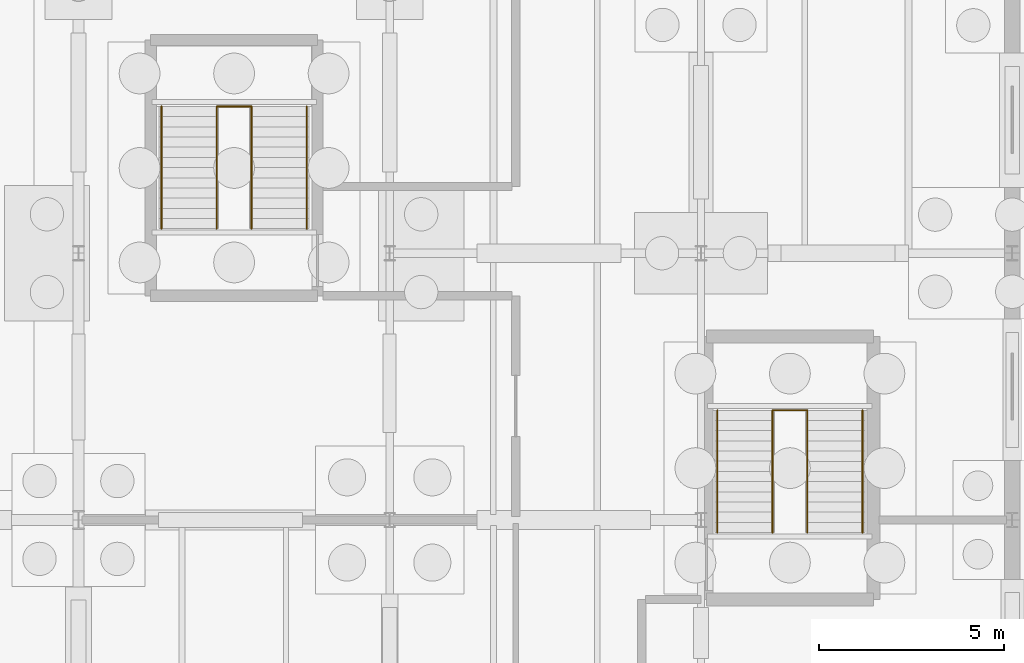
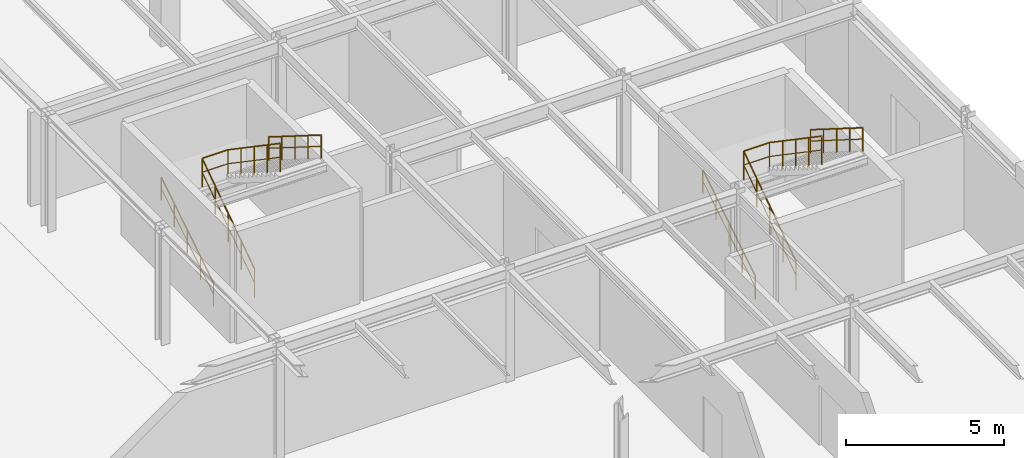
# One storey, part 92 of 93: 10 railings.
"""IFC4 building model written with IfcOpenShell, lengths in metres."""

from ifc_helpers import new_model, si_unit, derived_unit, direction, frame, origin, origin_2d, place, context, subcontext, project, spatial, circle, extrude, material, type_object, element, save


model = new_model("IFC4")

# Units and contexts
model_context = context("Model", 3, precision=1e-05, world=origin(), true_north=direction((0.0, 1.0)))
body_context = subcontext(model_context, "Body", "Model", "MODEL_VIEW")
ifc_project = project(units=[si_unit("LENGTHUNIT", "METRE"), si_unit("AREAUNIT", "SQUARE_METRE"), si_unit("VOLUMEUNIT", "CUBIC_METRE"), si_unit("PLANEANGLEUNIT", "RADIAN"), si_unit("MASSUNIT", "GRAM", prefix="KILO"), derived_unit("THERMALTRANSMITTANCEUNIT", [(si_unit("MASSUNIT", "GRAM", prefix="KILO"), 1), (si_unit("TIMEUNIT", "SECOND"), -3), (si_unit("THERMODYNAMICTEMPERATUREUNIT", "KELVIN"), -1)])], contexts=[model_context])

# Site, building, storey
site_placement = place(None, origin())
site = spatial("IfcSite", under=ifc_project, at=site_placement, CompositionType="ELEMENT")
building_placement = place(site_placement, origin())
building = spatial("IfcBuilding", under=site, at=building_placement, Name="Kharveza Railside Sports Centre", CompositionType="ELEMENT")
storey_placement = place(building_placement, origin())
storey = spatial("IfcBuildingStorey", under=building, at=storey_placement, Name="L00", CompositionType="ELEMENT", Elevation=0.0)

# Railings
ifc_material = material(Name="Steel S275JR", Category="steel")
railing_type_1 = type_object("IfcRailingType", Name="RL-GD110", PredefinedType="GUARDRAIL", material=ifc_material)
railing_1_placement = place(storey_placement, frame((161.530029296875, 78.860107421875, 0.0)))
element("IfcRailing", 1, at=railing_1_placement, inside=storey, type_object=railing_type_1, Name="STR-ST4-L00-GD1", PredefinedType="GUARDRAIL", context=body_context, shape_type="SweptSolid", body=[
    extrude(circle(Radius=0.02392578125, at=origin_2d()), frame((0.0, 0.0, 1.09619140625), z_axis=(0.0, 0.826211823288, 0.56335958593), x_axis=(-1.0, 0.0, 0.0)), (0.0, 0.0, 1.0), 3.993896484375),
    extrude(circle(Radius=0.01611328125, at=origin_2d()), frame((0.0, 0.0, 0.56005859375), z_axis=(0.0, 0.826211823288, 0.56335958593), x_axis=(-1.0, 0.0, 0.0)), (0.0, 0.0, 1.0), 3.993896484375),
    extrude(circle(Radius=0.02099609375, at=origin_2d()), origin(), (0.0, 0.0, 1.0), 1.072021484375),
    extrude(circle(Radius=0.02099609375, at=origin_2d()), frame((0.0, 0.824951171875, 0.5625)), (0.0, 0.0, 1.0), 1.072021484375),
    extrude(circle(Radius=0.02099609375, at=origin_2d()), frame((0.0, 1.64990234375, 1.125)), (0.0, 0.0, 1.0), 1.072021484375),
    extrude(circle(Radius=0.02099609375, at=origin_2d()), frame((0.0, 2.474853515625, 1.6875)), (0.0, 0.0, 1.0), 1.072021484375),
    extrude(circle(Radius=0.02099609375, at=origin_2d()), frame((0.0, 3.2998046875, 2.25)), (0.0, 0.0, 1.0), 1.072021484375),
])
railing_2_placement = place(storey_placement, frame((162.469970703125, 82.159912109375, 2.25)))
element("IfcRailing", 2, at=railing_2_placement, inside=storey, type_object=railing_type_1, Name="STR-ST4-L00-GD2", PredefinedType="GUARDRAIL", context=body_context, shape_type="SweptSolid", body=[
    extrude(circle(Radius=0.02392578125, at=origin_2d()), frame((0.0, 0.0, 1.09619140625), z_axis=(0.0, -0.826211823288, 0.56335958593), x_axis=(1.0, 0.0, 0.0)), (0.0, 0.0, 1.0), 3.993896484375),
    extrude(circle(Radius=0.01611328125, at=origin_2d()), frame((0.0, 0.0, 0.56005859375), z_axis=(0.0, -0.826211823288, 0.56335958593), x_axis=(1.0, 0.0, 0.0)), (0.0, 0.0, 1.0), 3.993896484375),
    extrude(circle(Radius=0.02099609375, at=origin_2d()), origin(), (0.0, 0.0, 1.0), 1.072021484375),
    extrude(circle(Radius=0.02099609375, at=origin_2d()), frame((0.0, -0.824951171875, 0.5625)), (0.0, 0.0, 1.0), 1.072021484375),
    extrude(circle(Radius=0.02099609375, at=origin_2d()), frame((0.0, -1.64990234375, 1.125)), (0.0, 0.0, 1.0), 1.072021484375),
    extrude(circle(Radius=0.02099609375, at=origin_2d()), frame((0.0, -2.474853515625, 1.6875)), (0.0, 0.0, 1.0), 1.072021484375),
    extrude(circle(Radius=0.02099609375, at=origin_2d()), frame((0.0, -3.2998046875, 2.25)), (0.0, 0.0, 1.0), 1.072021484375),
])
railing_3_placement = place(storey_placement, frame((161.530029296875, 82.159912109375, 2.25)))
element("IfcRailing", 3, at=railing_3_placement, inside=storey, type_object=railing_type_1, Name="STR-ST4-L00-GDH", PredefinedType="GUARDRAIL", context=body_context, shape_type="SweptSolid", body=[
    extrude(circle(Radius=0.02392578125, at=origin_2d()), frame((0.0, 0.0, 1.09619140625), z_axis=(1.0, 0.0, 0.0), x_axis=(0.0, 1.0, 0.0)), (0.0, 0.0, 1.0), 0.93994140625),
    extrude(circle(Radius=0.01611328125, at=origin_2d()), frame((0.0, 0.0, 0.56005859375), z_axis=(1.0, 0.0, 0.0), x_axis=(0.0, 1.0, 0.0)), (0.0, 0.0, 1.0), 0.93994140625),
    extrude(circle(Radius=0.02099609375, at=origin_2d()), origin(), (0.0, 0.0, 1.0), 1.072021484375),
    extrude(circle(Radius=0.02099609375, at=origin_2d()), frame((0.93994140625, 0.0, 0.0)), (0.0, 0.0, 1.0), 1.072021484375),
])
railing_4_placement = place(storey_placement, frame((146.530029296875, 87.06005859375, 0.0)))
element("IfcRailing", 4, at=railing_4_placement, inside=storey, type_object=railing_type_1, Name="STR-ST13-L00-GD1", PredefinedType="GUARDRAIL", context=body_context, shape_type="SweptSolid", body=[
    extrude(circle(Radius=0.02392578125, at=origin_2d()), frame((0.0, 0.0, 1.09619140625), z_axis=(0.0, 0.826231222393, 0.56333113454), x_axis=(-1.0, 0.0, 0.0)), (0.0, 0.0, 1.0), 3.994140625),
    extrude(circle(Radius=0.01611328125, at=origin_2d()), frame((0.0, 0.0, 0.56005859375), z_axis=(0.0, 0.826231222393, 0.56333113454), x_axis=(-1.0, 0.0, 0.0)), (0.0, 0.0, 1.0), 3.994140625),
    extrude(circle(Radius=0.02099609375, at=origin_2d()), origin(), (0.0, 0.0, 1.0), 1.072021484375),
    extrude(circle(Radius=0.02099609375, at=origin_2d()), frame((0.0, 0.824951171875, 0.5625)), (0.0, 0.0, 1.0), 1.072021484375),
    extrude(circle(Radius=0.02099609375, at=origin_2d()), frame((0.0, 1.64990234375, 1.125)), (0.0, 0.0, 1.0), 1.072021484375),
    extrude(circle(Radius=0.02099609375, at=origin_2d()), frame((0.0, 2.47509765625, 1.6875)), (0.0, 0.0, 1.0), 1.072021484375),
    extrude(circle(Radius=0.02099609375, at=origin_2d()), frame((0.0, 3.300048828125, 2.25)), (0.0, 0.0, 1.0), 1.072021484375),
])
railing_5_placement = place(storey_placement, frame((147.469970703125, 90.360107421875, 2.25)))
element("IfcRailing", 5, at=railing_5_placement, inside=storey, type_object=railing_type_1, Name="STR-ST13-L00-GD2", PredefinedType="GUARDRAIL", context=body_context, shape_type="SweptSolid", body=[
    extrude(circle(Radius=0.02392578125, at=origin_2d()), frame((0.0, 0.0, 1.09619140625), z_axis=(0.0, -0.826231222393, 0.56333113454), x_axis=(1.0, 0.0, 0.0)), (0.0, 0.0, 1.0), 3.994140625),
    extrude(circle(Radius=0.01611328125, at=origin_2d()), frame((0.0, 0.0, 0.56005859375), z_axis=(0.0, -0.826231222393, 0.56333113454), x_axis=(1.0, 0.0, 0.0)), (0.0, 0.0, 1.0), 3.994140625),
    extrude(circle(Radius=0.02099609375, at=origin_2d()), origin(), (0.0, 0.0, 1.0), 1.072021484375),
    extrude(circle(Radius=0.02099609375, at=origin_2d()), frame((0.0, -0.824951171875, 0.5625)), (0.0, 0.0, 1.0), 1.072021484375),
    extrude(circle(Radius=0.02099609375, at=origin_2d()), frame((0.0, -1.64990234375, 1.125)), (0.0, 0.0, 1.0), 1.072021484375),
    extrude(circle(Radius=0.02099609375, at=origin_2d()), frame((0.0, -2.47509765625, 1.6875)), (0.0, 0.0, 1.0), 1.072021484375),
    extrude(circle(Radius=0.02099609375, at=origin_2d()), frame((0.0, -3.300048828125, 2.25)), (0.0, 0.0, 1.0), 1.072021484375),
])
railing_6_placement = place(storey_placement, frame((146.530029296875, 90.360107421875, 2.25)))
element("IfcRailing", 6, at=railing_6_placement, inside=storey, type_object=railing_type_1, Name="STR-ST13-L00-GDH", PredefinedType="GUARDRAIL", context=body_context, shape_type="SweptSolid", body=[
    extrude(circle(Radius=0.02392578125, at=origin_2d()), frame((0.0, 0.0, 1.09619140625), z_axis=(1.0, 0.0, 0.0), x_axis=(0.0, 1.0, 0.0)), (0.0, 0.0, 1.0), 0.93994140625),
    extrude(circle(Radius=0.01611328125, at=origin_2d()), frame((0.0, 0.0, 0.56005859375), z_axis=(1.0, 0.0, 0.0), x_axis=(0.0, 1.0, 0.0)), (0.0, 0.0, 1.0), 0.93994140625),
    extrude(circle(Radius=0.02099609375, at=origin_2d()), origin(), (0.0, 0.0, 1.0), 1.072021484375),
    extrude(circle(Radius=0.02099609375, at=origin_2d()), frame((0.93994140625, 0.0, 0.0)), (0.0, 0.0, 1.0), 1.072021484375),
])
railing_type_2 = type_object("IfcRailingType", Name="RL-HR092", PredefinedType="HANDRAIL", material=ifc_material)
railing_7_placement = place(storey_placement, frame((160.0400390625, 78.860107421875, 0.173095703125)))
element("IfcRailing", 7, at=railing_7_placement, inside=storey, type_object=railing_type_2, Name="STR-ST4-L00-HR1", PredefinedType="HANDRAIL", context=body_context, shape_type="SweptSolid", body=[
    extrude(circle(Radius=0.02392578125, at=origin_2d()), frame((0.0, 0.0, 0.89599609375), z_axis=(0.0, 0.846319618018, 0.532675421018), x_axis=(-1.0, 0.0, 0.0)), (0.0, 0.0, 1.0), 3.89892578125),
    extrude(circle(Radius=0.01611328125, at=origin_2d()), frame((0.0, 0.0, 0.4599609375), z_axis=(0.0, 0.846319618018, 0.532675421018), x_axis=(-1.0, 0.0, 0.0)), (0.0, 0.0, 1.0), 3.89892578125),
    extrude(circle(Radius=0.02099609375, at=origin_2d()), origin(), (0.0, 0.0, 1.0), 0.871826171875),
    extrude(circle(Radius=0.02099609375, at=origin_2d()), frame((0.0, 0.824951171875, 0.519287109375)), (0.0, 0.0, 1.0), 0.871826171875),
    extrude(circle(Radius=0.02099609375, at=origin_2d()), frame((0.0, 1.64990234375, 1.03857421875)), (0.0, 0.0, 1.0), 0.871826171875),
    extrude(circle(Radius=0.02099609375, at=origin_2d()), frame((0.0, 2.474853515625, 1.5576171875)), (0.0, 0.0, 1.0), 0.871826171875),
    extrude(circle(Radius=0.02099609375, at=origin_2d()), frame((0.0, 3.2998046875, 2.076904296875)), (0.0, 0.0, 1.0), 0.871826171875),
])
railing_8_placement = place(storey_placement, frame((163.9599609375, 82.159912109375, 2.423095703125)))
element("IfcRailing", 8, at=railing_8_placement, inside=storey, type_object=railing_type_2, Name="STR-ST4-L00-HR2", PredefinedType="HANDRAIL", context=body_context, shape_type="SweptSolid", body=[
    extrude(circle(Radius=0.02392578125, at=origin_2d()), frame((0.0, 0.0, 0.89599609375), z_axis=(0.0, -0.846319618018, 0.532675421018), x_axis=(1.0, 0.0, 0.0)), (0.0, 0.0, 1.0), 3.89892578125),
    extrude(circle(Radius=0.01611328125, at=origin_2d()), frame((0.0, 0.0, 0.4599609375), z_axis=(0.0, -0.846319618018, 0.532675421018), x_axis=(1.0, 0.0, 0.0)), (0.0, 0.0, 1.0), 3.89892578125),
    extrude(circle(Radius=0.02099609375, at=origin_2d()), origin(), (0.0, 0.0, 1.0), 0.871826171875),
    extrude(circle(Radius=0.02099609375, at=origin_2d()), frame((0.0, -0.824951171875, 0.519287109375)), (0.0, 0.0, 1.0), 0.871826171875),
    extrude(circle(Radius=0.02099609375, at=origin_2d()), frame((0.0, -1.64990234375, 1.03857421875)), (0.0, 0.0, 1.0), 0.871826171875),
    extrude(circle(Radius=0.02099609375, at=origin_2d()), frame((0.0, -2.474853515625, 1.5576171875)), (0.0, 0.0, 1.0), 0.871826171875),
    extrude(circle(Radius=0.02099609375, at=origin_2d()), frame((0.0, -3.2998046875, 2.076904296875)), (0.0, 0.0, 1.0), 0.871826171875),
])
railing_9_placement = place(storey_placement, frame((145.0400390625, 87.06005859375, 0.173095703125)))
element("IfcRailing", 9, at=railing_9_placement, inside=storey, type_object=railing_type_2, Name="STR-ST13-L00-HR1", PredefinedType="HANDRAIL", context=body_context, shape_type="SweptSolid", body=[
    extrude(circle(Radius=0.02392578125, at=origin_2d()), frame((0.0, 0.0, 0.89599609375), z_axis=(0.0, 0.846337383501, 0.532647194011), x_axis=(-1.0, 0.0, 0.0)), (0.0, 0.0, 1.0), 3.899169921875),
    extrude(circle(Radius=0.01611328125, at=origin_2d()), frame((0.0, 0.0, 0.4599609375), z_axis=(0.0, 0.846337383501, 0.532647194011), x_axis=(-1.0, 0.0, 0.0)), (0.0, 0.0, 1.0), 3.899169921875),
    extrude(circle(Radius=0.02099609375, at=origin_2d()), origin(), (0.0, 0.0, 1.0), 0.871826171875),
    extrude(circle(Radius=0.02099609375, at=origin_2d()), frame((0.0, 0.824951171875, 0.519287109375)), (0.0, 0.0, 1.0), 0.871826171875),
    extrude(circle(Radius=0.02099609375, at=origin_2d()), frame((0.0, 1.64990234375, 1.03857421875)), (0.0, 0.0, 1.0), 0.871826171875),
    extrude(circle(Radius=0.02099609375, at=origin_2d()), frame((0.0, 2.47509765625, 1.5576171875)), (0.0, 0.0, 1.0), 0.871826171875),
    extrude(circle(Radius=0.02099609375, at=origin_2d()), frame((0.0, 3.300048828125, 2.076904296875)), (0.0, 0.0, 1.0), 0.871826171875),
])
railing_10_placement = place(storey_placement, frame((148.9599609375, 90.360107421875, 2.423095703125)))
element("IfcRailing", 10, at=railing_10_placement, inside=storey, type_object=railing_type_2, Name="STR-ST13-L00-HR2", PredefinedType="HANDRAIL", context=body_context, shape_type="SweptSolid", body=[
    extrude(circle(Radius=0.02392578125, at=origin_2d()), frame((0.0, 0.0, 0.89599609375), z_axis=(0.0, -0.846337383501, 0.532647194011), x_axis=(1.0, 0.0, 0.0)), (0.0, 0.0, 1.0), 3.899169921875),
    extrude(circle(Radius=0.01611328125, at=origin_2d()), frame((0.0, 0.0, 0.4599609375), z_axis=(0.0, -0.846337383501, 0.532647194011), x_axis=(1.0, 0.0, 0.0)), (0.0, 0.0, 1.0), 3.899169921875),
    extrude(circle(Radius=0.02099609375, at=origin_2d()), origin(), (0.0, 0.0, 1.0), 0.871826171875),
    extrude(circle(Radius=0.02099609375, at=origin_2d()), frame((0.0, -0.824951171875, 0.519287109375)), (0.0, 0.0, 1.0), 0.871826171875),
    extrude(circle(Radius=0.02099609375, at=origin_2d()), frame((0.0, -1.64990234375, 1.03857421875)), (0.0, 0.0, 1.0), 0.871826171875),
    extrude(circle(Radius=0.02099609375, at=origin_2d()), frame((0.0, -2.47509765625, 1.5576171875)), (0.0, 0.0, 1.0), 0.871826171875),
    extrude(circle(Radius=0.02099609375, at=origin_2d()), frame((0.0, -3.300048828125, 2.076904296875)), (0.0, 0.0, 1.0), 0.871826171875),
])

save(model, "model.ifc")
